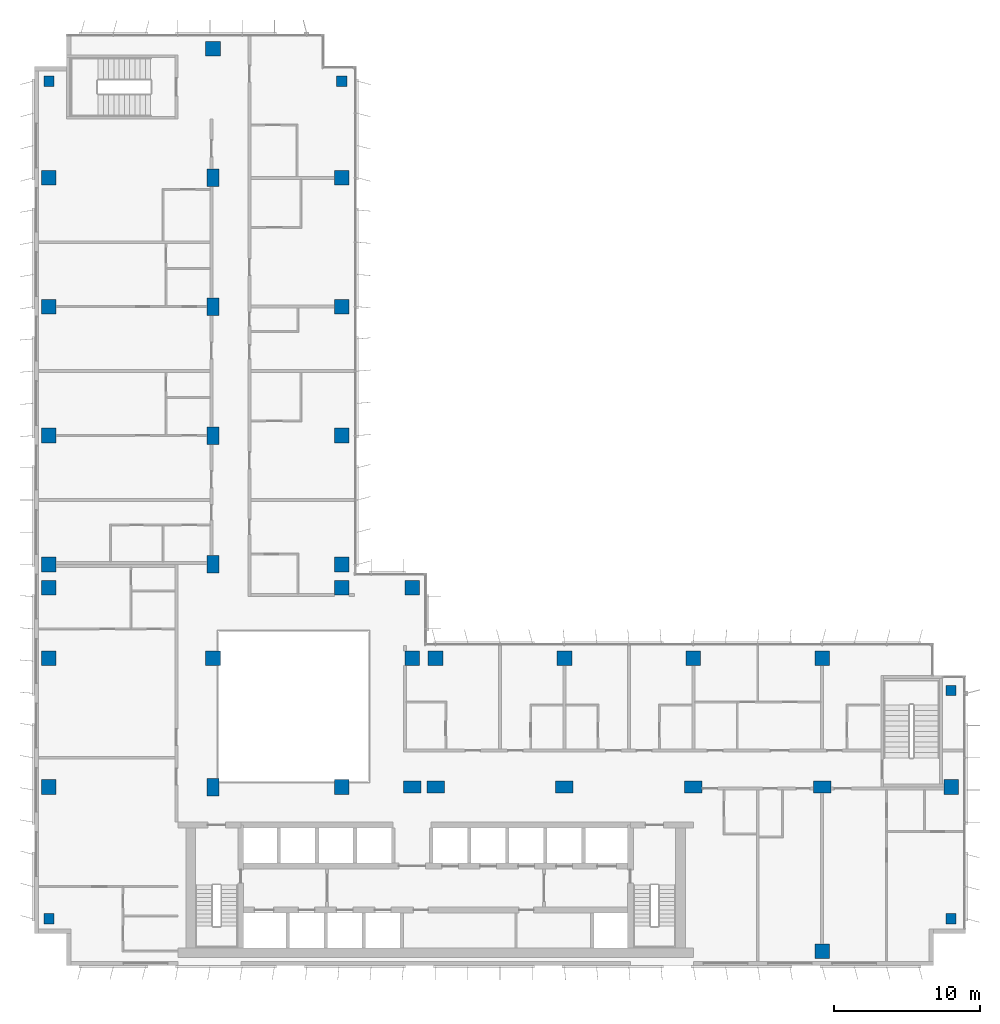
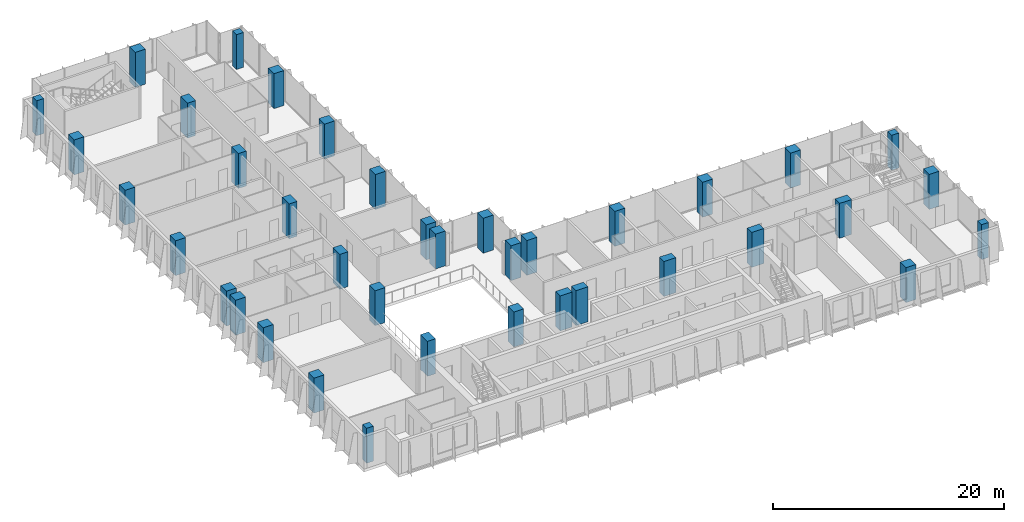
# One storey, part 1 of 21: 38 columns.
"""IFC4 building model written with IfcOpenShell, lengths in metres."""

from ifc_helpers import new_model, si_unit, direction, frame, origin, origin_2d, place, context, subcontext, project, spatial, rectangle, extrude, material, material_profile, profile_set, type_object, element, save


model = new_model("IFC4")

# Units and contexts
model_context = context("Model", 3, precision=1e-05, world=origin(), true_north=direction((0.0, 1.0)))
body_context = subcontext(model_context, "Body", "Model", "MODEL_VIEW")
ifc_project = project(units=[si_unit("LENGTHUNIT", "METRE"), si_unit("AREAUNIT", "SQUARE_METRE"), si_unit("VOLUMEUNIT", "CUBIC_METRE"), si_unit("PLANEANGLEUNIT", "RADIAN"), si_unit("MASSUNIT", "GRAM", prefix="KILO")], contexts=[model_context])

# Site, building, storey
site_placement = place(None, origin())
site = spatial("IfcSite", under=ifc_project, at=site_placement, CompositionType="ELEMENT")
building_placement = place(site_placement, origin())
building = spatial("IfcBuilding", under=site, at=building_placement, Name="Kemantara Hotel Tower", CompositionType="ELEMENT")
storey_placement = place(building_placement, frame((0.0, 0.0, 208.0)))
storey = spatial("IfcBuildingStorey", under=building, at=storey_placement, Name="L51", CompositionType="ELEMENT", Elevation=208.0)

# Columns
ifc_material = material(Name="Concrete fc 60 MPa", Category="concrete")
ifc_material_profile_1 = material_profile(ifc_material, rectangle(XDim=1.0, YDim=1.0, at=origin_2d()), Name="RC 1000X1000")
ifc_profile_set_1 = profile_set([ifc_material_profile_1], Name="Concrete fc 60 MPa")
column_type_1 = type_object("IfcColumnType", Name="RC COLUMN 1000X1000 FC60", PredefinedType="COLUMN", material=ifc_profile_set_1)
for number, where, z_axis, x_axis, name in (
    (1, (1.0, 12.199951171875, 0.0), (0.0, 0.0, 1.0), (1.0, 0.0, 0.0), "COLUMN 1/BA L51"),
    (2, (1.0, 21.0, 0.0), (0.0, 0.0, 1.0), (1.0, 0.0, 0.0), "COLUMN 1/C L51"),
    (3, (1.0, 25.800048828125, 0.0), (0.0, 0.0, 1.0), (1.0, 0.0, 0.0), "COLUMN 1/CA L51"),
    (4, (1.0, 27.39990234375, 0.0), (0.0, 0.0, 1.0), (1.0, 0.0, 0.0), "COLUMN 1/D L51"),
    (5, (1.0, 36.199951171875, 0.0), (0.0, 0.0, 1.0), (1.0, 0.0, 0.0), "COLUMN 1/E L51"),
    (6, (1.0, 45.0, 0.0), (0.0, 0.0, 1.0), (1.0, 0.0, 0.0), "COLUMN 1/F L51"),
    (7, (1.0, 53.800048828125, 0.0), (0.0, 0.0, 1.0), (1.0, 0.0, 0.0), "COLUMN 1/G L51"),
    (8, (12.199951171875, 21.0, 0.0), (0.0, 0.0, 1.0), (1.0, 0.0, 0.0), "COLUMN 2A/C L51"),
    (9, (12.199951171875, 62.60009765625, 0.0), (0.0, 0.0, 1.0), (1.0, 0.0, 0.0), "COLUMN 2A/H L51"),
    (10, (21.0, 12.199951171875, 0.0), (0.0, 0.0, 1.0), (1.0, 0.0, 0.0), "COLUMN 3/BA L51"),
    (11, (21.0, 25.800048828125, 0.0), (0.0, 0.0, 1.0), (1.0, 0.0, 0.0), "COLUMN 3/CA L51"),
    (12, (21.0, 27.39990234375, 0.0), (0.0, 0.0, 1.0), (1.0, 0.0, 0.0), "COLUMN 3/D L51"),
    (13, (21.0, 36.199951171875, 0.0), (0.0, 0.0, 1.0), (1.0, 0.0, 0.0), "COLUMN 3/E L51"),
    (14, (21.0, 45.0, 0.0), (0.0, 0.0, 1.0), (1.0, 0.0, 0.0), "COLUMN 3/F L51"),
    (15, (21.0, 53.800048828125, 0.0), (0.0, 0.0, 1.0), (1.0, 0.0, 0.0), "COLUMN 3/G L51"),
    (16, (25.800048828125, 21.0, 0.0), (0.0, 0.0, 1.0), (1.0, 0.0, 0.0), "COLUMN 3A/C L51"),
    (17, (25.800048828125, 25.800048828125, 0.0), (0.0, 0.0, 1.0), (1.0, 0.0, 0.0), "COLUMN 3A/CA L51"),
    (18, (27.39990234375, 21.0, 0.0), (0.0, 0.0, 1.0), (1.0, 0.0, 0.0), "COLUMN 4/C L51"),
    (19, (36.199951171875, 21.0, 0.0), (0.0, 0.0, 1.0), (1.0, 0.0, 0.0), "COLUMN 5/C L51"),
    (20, (45.0, 21.0, 0.0), (0.0, 0.0, 1.0), (1.0, 0.0, 0.0), "COLUMN 6/C L51"),
    (21, (53.800048828125, 1.0, 0.0), (0.0, 0.0, 1.0), (1.0, 0.0, 0.0), "COLUMN 7/A L51"),
    (22, (53.800048828125, 21.0, 0.0), (0.0, 0.0, 1.0), (1.0, 0.0, 0.0), "COLUMN 7/C L51"),
    (23, (62.60009765625, 12.199951171875, 0.0), (0.0, 0.0, 1.0), (1.0, 0.0, 0.0), "COLUMN 8/BA L51"),
):
    element("IfcColumn", number, at=place(storey_placement, frame(where, z_axis=z_axis, x_axis=x_axis)), inside=storey, type_object=column_type_1, Name=name, PredefinedType="COLUMN", context=body_context, shape_type="SweptSolid", body=[
        extrude(rectangle(XDim=1.0, YDim=1.0, at=origin_2d()), origin(), (0.0, 0.0, 1.0), 3.699951171875),
    ])
ifc_material_profile_2 = material_profile(ifc_material, rectangle(XDim=1.199951171875, YDim=0.800048828125, at=origin_2d()), Name="RC 1200X800")
ifc_profile_set_2 = profile_set([ifc_material_profile_2], Name="Concrete fc 60 MPa")
column_type_2 = type_object("IfcColumnType", Name="RC COLUMN 1200X800 FC60", PredefinedType="COLUMN", material=ifc_profile_set_2)
for number, where, z_axis, x_axis, name in (
    (24, (12.199951171875, 12.199951171875, 0.0), (0.0, 0.0, 1.0), (0.0, 1.0, 0.0), "COLUMN 2A/BA L51"),
    (25, (12.199951171875, 27.39990234375, 0.0), (0.0, 0.0, 1.0), (0.0, 1.0, 0.0), "COLUMN 2A/D L51"),
    (26, (12.199951171875, 36.199951171875, 0.0), (0.0, 0.0, 1.0), (0.0, 1.0, 0.0), "COLUMN 2A/E L51"),
    (27, (12.199951171875, 45.0, 0.0), (0.0, 0.0, 1.0), (0.0, 1.0, 0.0), "COLUMN 2A/F L51"),
    (28, (12.199951171875, 53.800048828125, 0.0), (0.0, 0.0, 1.0), (0.0, 1.0, 0.0), "COLUMN 2A/G L51"),
    (29, (25.800048828125, 12.199951171875, 0.0), (0.0, 0.0, 1.0), (1.0, 0.0, 0.0), "COLUMN 3A/BA L51"),
    (30, (27.39990234375, 12.199951171875, 0.0), (0.0, 0.0, 1.0), (1.0, 0.0, 0.0), "COLUMN 4/BA L51"),
    (31, (36.199951171875, 12.199951171875, 0.0), (0.0, 0.0, 1.0), (1.0, 0.0, 0.0), "COLUMN 5/BA L51"),
    (32, (45.0, 12.199951171875, 0.0), (0.0, 0.0, 1.0), (1.0, 0.0, 0.0), "COLUMN 6/BA L51"),
    (33, (53.800048828125, 12.199951171875, 0.0), (0.0, 0.0, 1.0), (1.0, 0.0, 0.0), "COLUMN 7/BA L51"),
):
    element("IfcColumn", number, at=place(storey_placement, frame(where, z_axis=z_axis, x_axis=x_axis)), inside=storey, type_object=column_type_2, Name=name, PredefinedType="COLUMN", context=body_context, shape_type="SweptSolid", body=[
        extrude(rectangle(XDim=1.199951171875, YDim=0.800048828125, at=origin_2d()), origin(), (0.0, 0.0, 1.0), 3.699951171875),
    ])
ifc_material_profile_3 = material_profile(ifc_material, rectangle(XDim=0.699951171875, YDim=0.699951171875, at=origin_2d()), Name="RC 700X700")
ifc_profile_set_3 = profile_set([ifc_material_profile_3], Name="Concrete fc 60 MPa")
column_type_3 = type_object("IfcColumnType", Name="RC COLUMN 700X700 FC60", PredefinedType="COLUMN", material=ifc_profile_set_3)
for number, where, z_axis, x_axis, name in (
    (34, (1.0, 3.199951171875, 0.0), (0.0, 0.0, 1.0), (1.0, 0.0, 0.0), "COLUMN notch corner L51"),
    (35, (1.0, 60.39990234375, 0.0), (0.0, 0.0, 1.0), (1.0, 0.0, 0.0), "COLUMN notch corner L51"),
    (36, (21.0, 60.39990234375, 0.0), (0.0, 0.0, 1.0), (1.0, 0.0, 0.0), "COLUMN notch corner L51"),
    (37, (62.60009765625, 3.199951171875, 0.0), (0.0, 0.0, 1.0), (1.0, 0.0, 0.0), "COLUMN notch corner L51"),
    (38, (62.60009765625, 18.800048828125, 0.0), (0.0, 0.0, 1.0), (1.0, 0.0, 0.0), "COLUMN notch corner L51"),
):
    element("IfcColumn", number, at=place(storey_placement, frame(where, z_axis=z_axis, x_axis=x_axis)), inside=storey, type_object=column_type_3, Name=name, PredefinedType="COLUMN", context=body_context, shape_type="SweptSolid", body=[
        extrude(rectangle(XDim=0.699951171875, YDim=0.699951171875, at=origin_2d()), origin(), (0.0, 0.0, 1.0), 3.699951171875),
    ])

save(model, "model.ifc")
